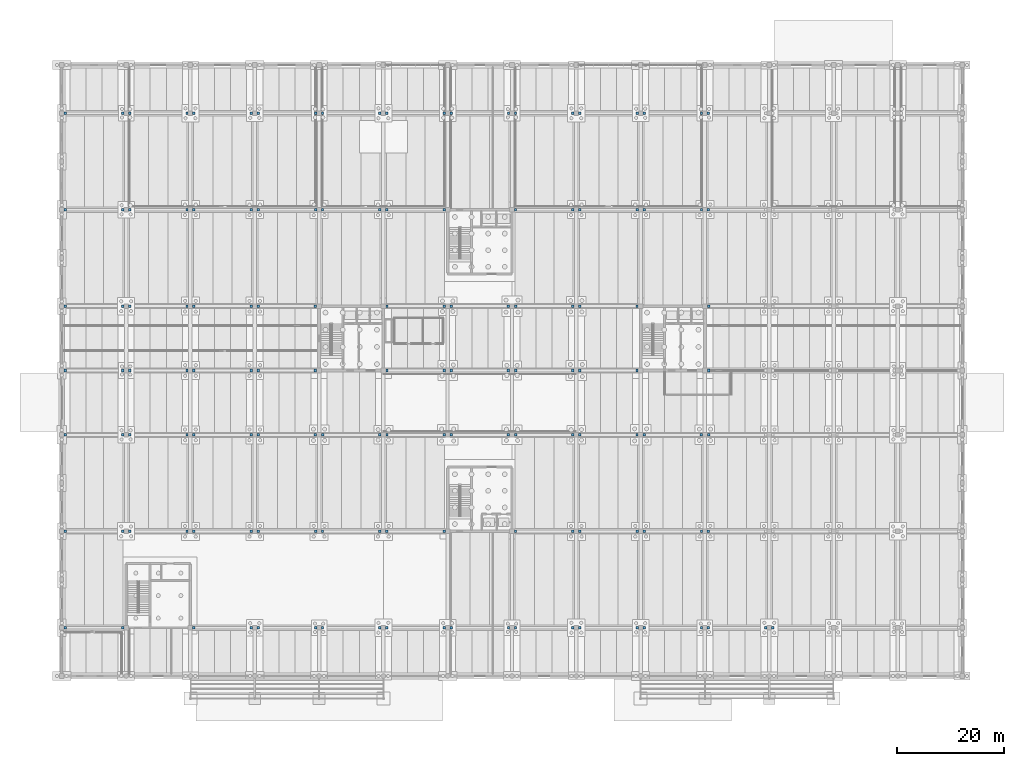
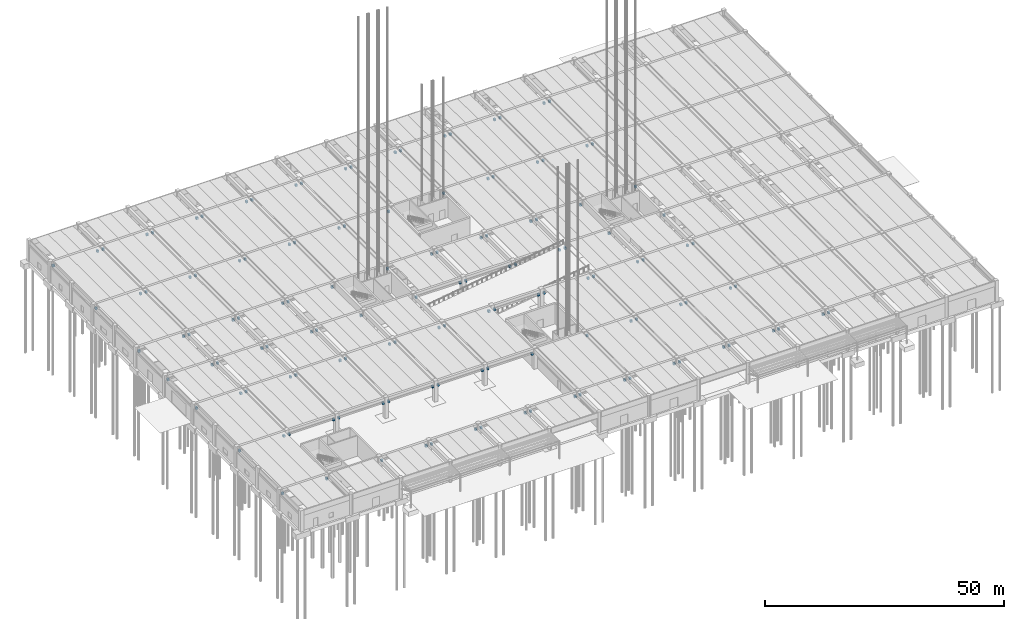
# One storey, part 50 of 59: 135 discrete accessories.
"""IFC4 building model written with IfcOpenShell, lengths in metres."""

from ifc_helpers import new_model, si_unit, direction, frame, origin, origin_2d, place, context, subcontext, project, spatial, rectangle, extrude, material, type_object, element, save


model = new_model("IFC4")

# Units and contexts
model_context = context("Model", 3, precision=1e-05, world=origin(), true_north=direction((0.0, 1.0)))
body_context = subcontext(model_context, "Body", "Model", "MODEL_VIEW")
ifc_project = project(units=[si_unit("LENGTHUNIT", "METRE"), si_unit("AREAUNIT", "SQUARE_METRE"), si_unit("VOLUMEUNIT", "CUBIC_METRE"), si_unit("PLANEANGLEUNIT", "RADIAN"), si_unit("MASSUNIT", "GRAM", prefix="KILO")], contexts=[model_context])

# Site, building, storey
site_placement = place(None, origin())
site = spatial("IfcSite", under=ifc_project, at=site_placement, CompositionType="ELEMENT")
building_placement = place(site_placement, origin())
building = spatial("IfcBuilding", under=site, at=building_placement, Name="Girod Span Mobility Hub", CompositionType="ELEMENT")
storey_placement = place(building_placement, origin())
storey = spatial("IfcBuildingStorey", under=building, at=storey_placement, Name="L00", CompositionType="ELEMENT", Elevation=0.0)

# Discrete accessories
ifc_material = material(Name="Concrete C40/50", Category="concrete")
discrete_accessory_type = type_object("IfcDiscreteAccessoryType", Name="ACC-CORBEL-550", PredefinedType="BRACKET", material=ifc_material)
for number, where, z_axis, x_axis, name in (
    (1, (0.64794921875, 9.0, 3.60205078125), (0.0, 0.0, 1.0), (1.0, 0.0, 0.0), "Precast Corbel 1/B-L L00"),
    (2, (11.35205078125, 9.0, 3.60205078125), (0.0, 0.0, 1.0), (1.0, 0.0, 0.0), "Precast Corbel 1/B-R L00"),
    (3, (24.64794921875, 9.0, 3.60205078125), (0.0, 0.0, 1.0), (1.0, 0.0, 0.0), "Precast Corbel 3/B-L L00"),
    (4, (35.35205078125, 9.0, 3.60205078125), (0.0, 0.0, 1.0), (1.0, 0.0, 0.0), "Precast Corbel 3/B-R L00"),
    (5, (36.64794921875, 9.0, 3.60205078125), (0.0, 0.0, 1.0), (1.0, 0.0, 0.0), "Precast Corbel 4/B-L L00"),
    (6, (47.35205078125, 9.0, 3.60205078125), (0.0, 0.0, 1.0), (1.0, 0.0, 0.0), "Precast Corbel 4/B-R L00"),
    (7, (48.64794921875, 9.0, 3.60205078125), (0.0, 0.0, 1.0), (1.0, 0.0, 0.0), "Precast Corbel 5/B-L L00"),
    (8, (59.35205078125, 9.0, 3.60205078125), (0.0, 0.0, 1.0), (1.0, 0.0, 0.0), "Precast Corbel 5/B-R L00"),
    (9, (60.64794921875, 9.0, 3.60205078125), (0.0, 0.0, 1.0), (1.0, 0.0, 0.0), "Precast Corbel 6/B-L L00"),
    (10, (71.35205078125, 9.0, 3.60205078125), (0.0, 0.0, 1.0), (1.0, 0.0, 0.0), "Precast Corbel 6/B-R L00"),
    (11, (72.64794921875, 9.0, 3.60205078125), (0.0, 0.0, 1.0), (1.0, 0.0, 0.0), "Precast Corbel 7/B-L L00"),
    (12, (83.35205078125, 9.0, 3.60205078125), (0.0, 0.0, 1.0), (1.0, 0.0, 0.0), "Precast Corbel 7/B-R L00"),
    (13, (84.64794921875, 9.0, 3.60205078125), (0.0, 0.0, 1.0), (1.0, 0.0, 0.0), "Precast Corbel 8/B-L L00"),
    (14, (95.35205078125, 9.0, 3.60205078125), (0.0, 0.0, 1.0), (1.0, 0.0, 0.0), "Precast Corbel 8/B-R L00"),
    (15, (96.64794921875, 9.0, 3.60205078125), (0.0, 0.0, 1.0), (1.0, 0.0, 0.0), "Precast Corbel 9/B-L L00"),
    (16, (107.35205078125, 9.0, 3.60205078125), (0.0, 0.0, 1.0), (1.0, 0.0, 0.0), "Precast Corbel 9/B-R L00"),
    (17, (108.64794921875, 9.0, 3.60205078125), (0.0, 0.0, 1.0), (1.0, 0.0, 0.0), "Precast Corbel 10/B-L L00"),
    (18, (119.35205078125, 9.0, 3.60205078125), (0.0, 0.0, 1.0), (1.0, 0.0, 0.0), "Precast Corbel 10/B-R L00"),
    (19, (120.64794921875, 9.0, 3.60205078125), (0.0, 0.0, 1.0), (1.0, 0.0, 0.0), "Precast Corbel 11/B-L L00"),
    (20, (131.35205078125, 9.0, 3.60205078125), (0.0, 0.0, 1.0), (1.0, 0.0, 0.0), "Precast Corbel 11/B-R L00"),
    (21, (132.64794921875, 9.0, 3.60205078125), (0.0, 0.0, 1.0), (1.0, 0.0, 0.0), "Precast Corbel 12/B-L L00"),
    (22, (0.64794921875, 27.0, 3.60205078125), (0.0, 0.0, 1.0), (1.0, 0.0, 0.0), "Precast Corbel 1/C-L L00"),
    (23, (11.35205078125, 27.0, 3.60205078125), (0.0, 0.0, 1.0), (1.0, 0.0, 0.0), "Precast Corbel 1/C-R L00"),
    (24, (12.64794921875, 27.0, 3.60205078125), (0.0, 0.0, 1.0), (1.0, 0.0, 0.0), "Precast Corbel 2/C-L L00"),
    (25, (23.35205078125, 27.0, 3.60205078125), (0.0, 0.0, 1.0), (1.0, 0.0, 0.0), "Precast Corbel 2/C-R L00"),
    (26, (24.64794921875, 27.0, 3.60205078125), (0.0, 0.0, 1.0), (1.0, 0.0, 0.0), "Precast Corbel 3/C-L L00"),
    (27, (35.35205078125, 27.0, 3.60205078125), (0.0, 0.0, 1.0), (1.0, 0.0, 0.0), "Precast Corbel 3/C-R L00"),
    (28, (36.64794921875, 27.0, 3.60205078125), (0.0, 0.0, 1.0), (1.0, 0.0, 0.0), "Precast Corbel 4/C-L L00"),
    (29, (47.35205078125, 27.0, 3.60205078125), (0.0, 0.0, 1.0), (1.0, 0.0, 0.0), "Precast Corbel 4/C-R L00"),
    (30, (48.64794921875, 27.0, 3.60205078125), (0.0, 0.0, 1.0), (1.0, 0.0, 0.0), "Precast Corbel 5/C-L L00"),
    (31, (59.35205078125, 27.0, 3.60205078125), (0.0, 0.0, 1.0), (1.0, 0.0, 0.0), "Precast Corbel 5/C-R L00"),
    (32, (60.64794921875, 27.0, 3.60205078125), (0.0, 0.0, 1.0), (1.0, 0.0, 0.0), "Precast Corbel 6/C-L L00"),
    (33, (71.35205078125, 27.0, 3.60205078125), (0.0, 0.0, 1.0), (1.0, 0.0, 0.0), "Precast Corbel 6/C-R L00"),
    (34, (84.64794921875, 27.0, 3.60205078125), (0.0, 0.0, 1.0), (1.0, 0.0, 0.0), "Precast Corbel 8/C-L L00"),
    (35, (95.35205078125, 27.0, 3.60205078125), (0.0, 0.0, 1.0), (1.0, 0.0, 0.0), "Precast Corbel 8/C-R L00"),
    (36, (96.64794921875, 27.0, 3.60205078125), (0.0, 0.0, 1.0), (1.0, 0.0, 0.0), "Precast Corbel 9/C-L L00"),
    (37, (107.35205078125, 27.0, 3.60205078125), (0.0, 0.0, 1.0), (1.0, 0.0, 0.0), "Precast Corbel 9/C-R L00"),
    (38, (108.64794921875, 27.0, 3.60205078125), (0.0, 0.0, 1.0), (1.0, 0.0, 0.0), "Precast Corbel 10/C-L L00"),
    (39, (119.35205078125, 27.0, 3.60205078125), (0.0, 0.0, 1.0), (1.0, 0.0, 0.0), "Precast Corbel 10/C-R L00"),
    (40, (120.64794921875, 27.0, 3.60205078125), (0.0, 0.0, 1.0), (1.0, 0.0, 0.0), "Precast Corbel 11/C-L L00"),
    (41, (0.64794921875, 45.0, 3.60205078125), (0.0, 0.0, 1.0), (1.0, 0.0, 0.0), "Precast Corbel 1/D-L L00"),
    (42, (11.35205078125, 45.0, 3.60205078125), (0.0, 0.0, 1.0), (1.0, 0.0, 0.0), "Precast Corbel 1/D-R L00"),
    (43, (12.64794921875, 45.0, 3.60205078125), (0.0, 0.0, 1.0), (1.0, 0.0, 0.0), "Precast Corbel 2/D-L L00"),
    (44, (23.35205078125, 45.0, 3.60205078125), (0.0, 0.0, 1.0), (1.0, 0.0, 0.0), "Precast Corbel 2/D-R L00"),
    (45, (24.64794921875, 45.0, 3.60205078125), (0.0, 0.0, 1.0), (1.0, 0.0, 0.0), "Precast Corbel 3/D-L L00"),
    (46, (35.35205078125, 45.0, 3.60205078125), (0.0, 0.0, 1.0), (1.0, 0.0, 0.0), "Precast Corbel 3/D-R L00"),
    (47, (36.64794921875, 45.0, 3.60205078125), (0.0, 0.0, 1.0), (1.0, 0.0, 0.0), "Precast Corbel 4/D-L L00"),
    (48, (47.326904296875, 45.0, 3.60205078125), (0.0, 0.0, 1.0), (1.0, 0.0, 0.0), "Precast Corbel 4/D-R L00"),
    (49, (48.673095703125, 45.0, 3.60205078125), (0.0, 0.0, 1.0), (1.0, 0.0, 0.0), "Precast Corbel 5/D-L L00"),
    (50, (59.326904296875, 45.0, 3.60205078125), (0.0, 0.0, 1.0), (1.0, 0.0, 0.0), "Precast Corbel 5/D-R L00"),
    (51, (60.673095703125, 45.0, 3.60205078125), (0.0, 0.0, 1.0), (1.0, 0.0, 0.0), "Precast Corbel 6/D-L L00"),
    (52, (71.326904296875, 45.0, 3.60205078125), (0.0, 0.0, 1.0), (1.0, 0.0, 0.0), "Precast Corbel 6/D-R L00"),
    (53, (72.673095703125, 45.0, 3.60205078125), (0.0, 0.0, 1.0), (1.0, 0.0, 0.0), "Precast Corbel 7/D-L L00"),
    (54, (83.326904296875, 45.0, 3.60205078125), (0.0, 0.0, 1.0), (1.0, 0.0, 0.0), "Precast Corbel 7/D-R L00"),
    (55, (84.673095703125, 45.0, 3.60205078125), (0.0, 0.0, 1.0), (1.0, 0.0, 0.0), "Precast Corbel 8/D-L L00"),
    (56, (95.326904296875, 45.0, 3.60205078125), (0.0, 0.0, 1.0), (1.0, 0.0, 0.0), "Precast Corbel 8/D-R L00"),
    (57, (96.673095703125, 45.0, 3.60205078125), (0.0, 0.0, 1.0), (1.0, 0.0, 0.0), "Precast Corbel 9/D-L L00"),
    (58, (107.326904296875, 45.0, 3.60205078125), (0.0, 0.0, 1.0), (1.0, 0.0, 0.0), "Precast Corbel 9/D-R L00"),
    (59, (108.673095703125, 45.0, 3.60205078125), (0.0, 0.0, 1.0), (1.0, 0.0, 0.0), "Precast Corbel 10/D-L L00"),
    (60, (119.326904296875, 45.0, 3.60205078125), (0.0, 0.0, 1.0), (1.0, 0.0, 0.0), "Precast Corbel 10/D-R L00"),
    (61, (120.673095703125, 45.0, 3.60205078125), (0.0, 0.0, 1.0), (1.0, 0.0, 0.0), "Precast Corbel 11/D-L L00"),
    (62, (0.64794921875, 57.0, 3.60205078125), (0.0, 0.0, 1.0), (1.0, 0.0, 0.0), "Precast Corbel 1/E-L L00"),
    (63, (11.35205078125, 57.0, 3.60205078125), (0.0, 0.0, 1.0), (1.0, 0.0, 0.0), "Precast Corbel 1/E-R L00"),
    (64, (12.64794921875, 57.0, 3.60205078125), (0.0, 0.0, 1.0), (1.0, 0.0, 0.0), "Precast Corbel 2/E-L L00"),
    (65, (23.35205078125, 57.0, 3.60205078125), (0.0, 0.0, 1.0), (1.0, 0.0, 0.0), "Precast Corbel 2/E-R L00"),
    (66, (24.64794921875, 57.0, 3.60205078125), (0.0, 0.0, 1.0), (1.0, 0.0, 0.0), "Precast Corbel 3/E-L L00"),
    (67, (35.35205078125, 57.0, 3.60205078125), (0.0, 0.0, 1.0), (1.0, 0.0, 0.0), "Precast Corbel 3/E-R L00"),
    (68, (36.64794921875, 57.0, 3.60205078125), (0.0, 0.0, 1.0), (1.0, 0.0, 0.0), "Precast Corbel 4/E-L L00"),
    (69, (47.326904296875, 57.0, 3.60205078125), (0.0, 0.0, 1.0), (1.0, 0.0, 0.0), "Precast Corbel 4/E-R L00"),
    (70, (60.673095703125, 57.0, 3.60205078125), (0.0, 0.0, 1.0), (1.0, 0.0, 0.0), "Precast Corbel 6/E-L L00"),
    (71, (71.326904296875, 57.0, 3.60205078125), (0.0, 0.0, 1.0), (1.0, 0.0, 0.0), "Precast Corbel 6/E-R L00"),
    (72, (72.673095703125, 57.0, 3.60205078125), (0.0, 0.0, 1.0), (1.0, 0.0, 0.0), "Precast Corbel 7/E-L L00"),
    (73, (83.326904296875, 57.0, 3.60205078125), (0.0, 0.0, 1.0), (1.0, 0.0, 0.0), "Precast Corbel 7/E-R L00"),
    (74, (84.673095703125, 57.0, 3.60205078125), (0.0, 0.0, 1.0), (1.0, 0.0, 0.0), "Precast Corbel 8/E-L L00"),
    (75, (95.326904296875, 57.0, 3.60205078125), (0.0, 0.0, 1.0), (1.0, 0.0, 0.0), "Precast Corbel 8/E-R L00"),
    (76, (96.673095703125, 57.0, 3.60205078125), (0.0, 0.0, 1.0), (1.0, 0.0, 0.0), "Precast Corbel 9/E-L L00"),
    (77, (107.326904296875, 57.0, 3.60205078125), (0.0, 0.0, 1.0), (1.0, 0.0, 0.0), "Precast Corbel 9/E-R L00"),
    (78, (120.673095703125, 57.0, 3.60205078125), (0.0, 0.0, 1.0), (1.0, 0.0, 0.0), "Precast Corbel 11/E-L L00"),
    (79, (0.64794921875, 69.0, 3.60205078125), (0.0, 0.0, 1.0), (1.0, 0.0, 0.0), "Precast Corbel 1/F-L L00"),
    (80, (11.35205078125, 69.0, 3.60205078125), (0.0, 0.0, 1.0), (1.0, 0.0, 0.0), "Precast Corbel 1/F-R L00"),
    (81, (12.64794921875, 69.0, 3.60205078125), (0.0, 0.0, 1.0), (1.0, 0.0, 0.0), "Precast Corbel 2/F-L L00"),
    (82, (23.35205078125, 69.0, 3.60205078125), (0.0, 0.0, 1.0), (1.0, 0.0, 0.0), "Precast Corbel 2/F-R L00"),
    (83, (24.64794921875, 69.0, 3.60205078125), (0.0, 0.0, 1.0), (1.0, 0.0, 0.0), "Precast Corbel 3/F-L L00"),
    (84, (35.35205078125, 69.0, 3.60205078125), (0.0, 0.0, 1.0), (1.0, 0.0, 0.0), "Precast Corbel 3/F-R L00"),
    (85, (36.64794921875, 69.0, 3.60205078125), (0.0, 0.0, 1.0), (1.0, 0.0, 0.0), "Precast Corbel 4/F-L L00"),
    (86, (47.326904296875, 69.0, 3.60205078125), (0.0, 0.0, 1.0), (1.0, 0.0, 0.0), "Precast Corbel 4/F-R L00"),
    (87, (60.673095703125, 69.0, 3.60205078125), (0.0, 0.0, 1.0), (1.0, 0.0, 0.0), "Precast Corbel 6/F-L L00"),
    (88, (71.326904296875, 69.0, 3.60205078125), (0.0, 0.0, 1.0), (1.0, 0.0, 0.0), "Precast Corbel 6/F-R L00"),
    (89, (72.673095703125, 69.0, 3.60205078125), (0.0, 0.0, 1.0), (1.0, 0.0, 0.0), "Precast Corbel 7/F-L L00"),
    (90, (83.326904296875, 69.0, 3.60205078125), (0.0, 0.0, 1.0), (1.0, 0.0, 0.0), "Precast Corbel 7/F-R L00"),
    (91, (84.673095703125, 69.0, 3.60205078125), (0.0, 0.0, 1.0), (1.0, 0.0, 0.0), "Precast Corbel 8/F-L L00"),
    (92, (95.326904296875, 69.0, 3.60205078125), (0.0, 0.0, 1.0), (1.0, 0.0, 0.0), "Precast Corbel 8/F-R L00"),
    (93, (96.673095703125, 69.0, 3.60205078125), (0.0, 0.0, 1.0), (1.0, 0.0, 0.0), "Precast Corbel 9/F-L L00"),
    (94, (107.326904296875, 69.0, 3.60205078125), (0.0, 0.0, 1.0), (1.0, 0.0, 0.0), "Precast Corbel 9/F-R L00"),
    (95, (120.673095703125, 69.0, 3.60205078125), (0.0, 0.0, 1.0), (1.0, 0.0, 0.0), "Precast Corbel 11/F-L L00"),
    (96, (0.64794921875, 87.0, 3.60205078125), (0.0, 0.0, 1.0), (1.0, 0.0, 0.0), "Precast Corbel 1/G-L L00"),
    (97, (11.35205078125, 87.0, 3.60205078125), (0.0, 0.0, 1.0), (1.0, 0.0, 0.0), "Precast Corbel 1/G-R L00"),
    (98, (12.64794921875, 87.0, 3.60205078125), (0.0, 0.0, 1.0), (1.0, 0.0, 0.0), "Precast Corbel 2/G-L L00"),
    (99, (23.35205078125, 87.0, 3.60205078125), (0.0, 0.0, 1.0), (1.0, 0.0, 0.0), "Precast Corbel 2/G-R L00"),
    (100, (24.64794921875, 87.0, 3.60205078125), (0.0, 0.0, 1.0), (1.0, 0.0, 0.0), "Precast Corbel 3/G-L L00"),
    (101, (35.35205078125, 87.0, 3.60205078125), (0.0, 0.0, 1.0), (1.0, 0.0, 0.0), "Precast Corbel 3/G-R L00"),
    (102, (36.64794921875, 87.0, 3.60205078125), (0.0, 0.0, 1.0), (1.0, 0.0, 0.0), "Precast Corbel 4/G-L L00"),
    (103, (47.35205078125, 87.0, 3.60205078125), (0.0, 0.0, 1.0), (1.0, 0.0, 0.0), "Precast Corbel 4/G-R L00"),
    (104, (48.64794921875, 87.0, 3.60205078125), (0.0, 0.0, 1.0), (1.0, 0.0, 0.0), "Precast Corbel 5/G-L L00"),
    (105, (59.35205078125, 87.0, 3.60205078125), (0.0, 0.0, 1.0), (1.0, 0.0, 0.0), "Precast Corbel 5/G-R L00"),
    (106, (60.64794921875, 87.0, 3.60205078125), (0.0, 0.0, 1.0), (1.0, 0.0, 0.0), "Precast Corbel 6/G-L L00"),
    (107, (71.35205078125, 87.0, 3.60205078125), (0.0, 0.0, 1.0), (1.0, 0.0, 0.0), "Precast Corbel 6/G-R L00"),
    (108, (84.64794921875, 87.0, 3.60205078125), (0.0, 0.0, 1.0), (1.0, 0.0, 0.0), "Precast Corbel 8/G-L L00"),
    (109, (95.35205078125, 87.0, 3.60205078125), (0.0, 0.0, 1.0), (1.0, 0.0, 0.0), "Precast Corbel 8/G-R L00"),
    (110, (96.64794921875, 87.0, 3.60205078125), (0.0, 0.0, 1.0), (1.0, 0.0, 0.0), "Precast Corbel 9/G-L L00"),
    (111, (107.35205078125, 87.0, 3.60205078125), (0.0, 0.0, 1.0), (1.0, 0.0, 0.0), "Precast Corbel 9/G-R L00"),
    (112, (108.64794921875, 87.0, 3.60205078125), (0.0, 0.0, 1.0), (1.0, 0.0, 0.0), "Precast Corbel 10/G-L L00"),
    (113, (119.35205078125, 87.0, 3.60205078125), (0.0, 0.0, 1.0), (1.0, 0.0, 0.0), "Precast Corbel 10/G-R L00"),
    (114, (120.64794921875, 87.0, 3.60205078125), (0.0, 0.0, 1.0), (1.0, 0.0, 0.0), "Precast Corbel 11/G-L L00"),
    (115, (0.64794921875, 105.0, 3.60205078125), (0.0, 0.0, 1.0), (1.0, 0.0, 0.0), "Precast Corbel 1/H-L L00"),
    (116, (11.35205078125, 105.0, 3.60205078125), (0.0, 0.0, 1.0), (1.0, 0.0, 0.0), "Precast Corbel 1/H-R L00"),
    (117, (12.64794921875, 105.0, 3.60205078125), (0.0, 0.0, 1.0), (1.0, 0.0, 0.0), "Precast Corbel 2/H-L L00"),
    (118, (23.35205078125, 105.0, 3.60205078125), (0.0, 0.0, 1.0), (1.0, 0.0, 0.0), "Precast Corbel 2/H-R L00"),
    (119, (24.64794921875, 105.0, 3.60205078125), (0.0, 0.0, 1.0), (1.0, 0.0, 0.0), "Precast Corbel 3/H-L L00"),
    (120, (35.35205078125, 105.0, 3.60205078125), (0.0, 0.0, 1.0), (1.0, 0.0, 0.0), "Precast Corbel 3/H-R L00"),
    (121, (36.64794921875, 105.0, 3.60205078125), (0.0, 0.0, 1.0), (1.0, 0.0, 0.0), "Precast Corbel 4/H-L L00"),
    (122, (47.35205078125, 105.0, 3.60205078125), (0.0, 0.0, 1.0), (1.0, 0.0, 0.0), "Precast Corbel 4/H-R L00"),
    (123, (48.64794921875, 105.0, 3.60205078125), (0.0, 0.0, 1.0), (1.0, 0.0, 0.0), "Precast Corbel 5/H-L L00"),
    (124, (59.35205078125, 105.0, 3.60205078125), (0.0, 0.0, 1.0), (1.0, 0.0, 0.0), "Precast Corbel 5/H-R L00"),
    (125, (60.64794921875, 105.0, 3.60205078125), (0.0, 0.0, 1.0), (1.0, 0.0, 0.0), "Precast Corbel 6/H-L L00"),
    (126, (71.35205078125, 105.0, 3.60205078125), (0.0, 0.0, 1.0), (1.0, 0.0, 0.0), "Precast Corbel 6/H-R L00"),
    (127, (72.64794921875, 105.0, 3.60205078125), (0.0, 0.0, 1.0), (1.0, 0.0, 0.0), "Precast Corbel 7/H-L L00"),
    (128, (83.35205078125, 105.0, 3.60205078125), (0.0, 0.0, 1.0), (1.0, 0.0, 0.0), "Precast Corbel 7/H-R L00"),
    (129, (84.64794921875, 105.0, 3.60205078125), (0.0, 0.0, 1.0), (1.0, 0.0, 0.0), "Precast Corbel 8/H-L L00"),
    (130, (95.35205078125, 105.0, 3.60205078125), (0.0, 0.0, 1.0), (1.0, 0.0, 0.0), "Precast Corbel 8/H-R L00"),
    (131, (96.64794921875, 105.0, 3.60205078125), (0.0, 0.0, 1.0), (1.0, 0.0, 0.0), "Precast Corbel 9/H-L L00"),
    (132, (107.35205078125, 105.0, 3.60205078125), (0.0, 0.0, 1.0), (1.0, 0.0, 0.0), "Precast Corbel 9/H-R L00"),
    (133, (108.64794921875, 105.0, 3.60205078125), (0.0, 0.0, 1.0), (1.0, 0.0, 0.0), "Precast Corbel 10/H-L L00"),
    (134, (119.35205078125, 105.0, 3.60205078125), (0.0, 0.0, 1.0), (1.0, 0.0, 0.0), "Precast Corbel 10/H-R L00"),
    (135, (120.64794921875, 105.0, 3.60205078125), (0.0, 0.0, 1.0), (1.0, 0.0, 0.0), "Precast Corbel 11/H-L L00"),
):
    element("IfcDiscreteAccessory", number, at=place(storey_placement, frame(where, z_axis=z_axis, x_axis=x_axis)), inside=storey, type_object=discrete_accessory_type, Name=name, PredefinedType="BRACKET", context=body_context, shape_type="SweptSolid", body=[
        extrude(rectangle(XDim=0.449951171875, YDim=0.5, at=origin_2d()), origin(), (0.0, 0.0, 1.0), 0.550048828125),
    ])

save(model, "model.ifc")
